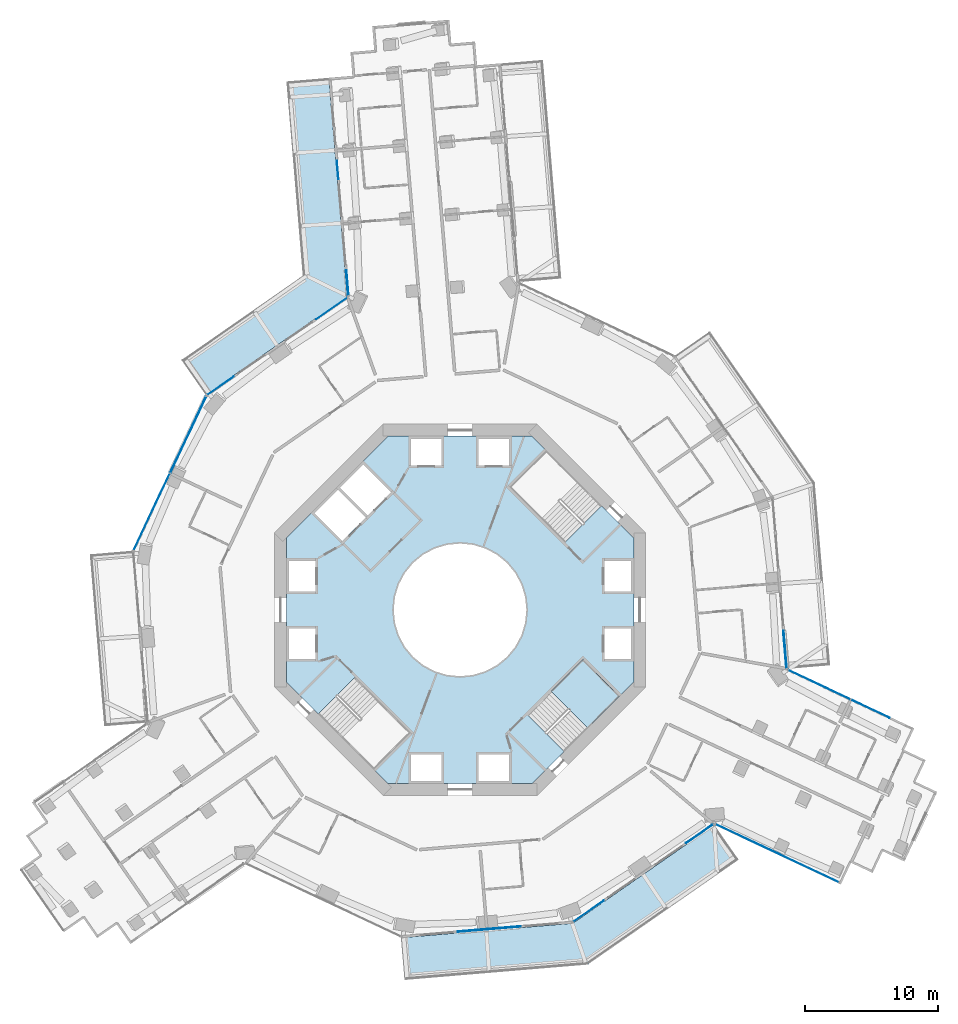
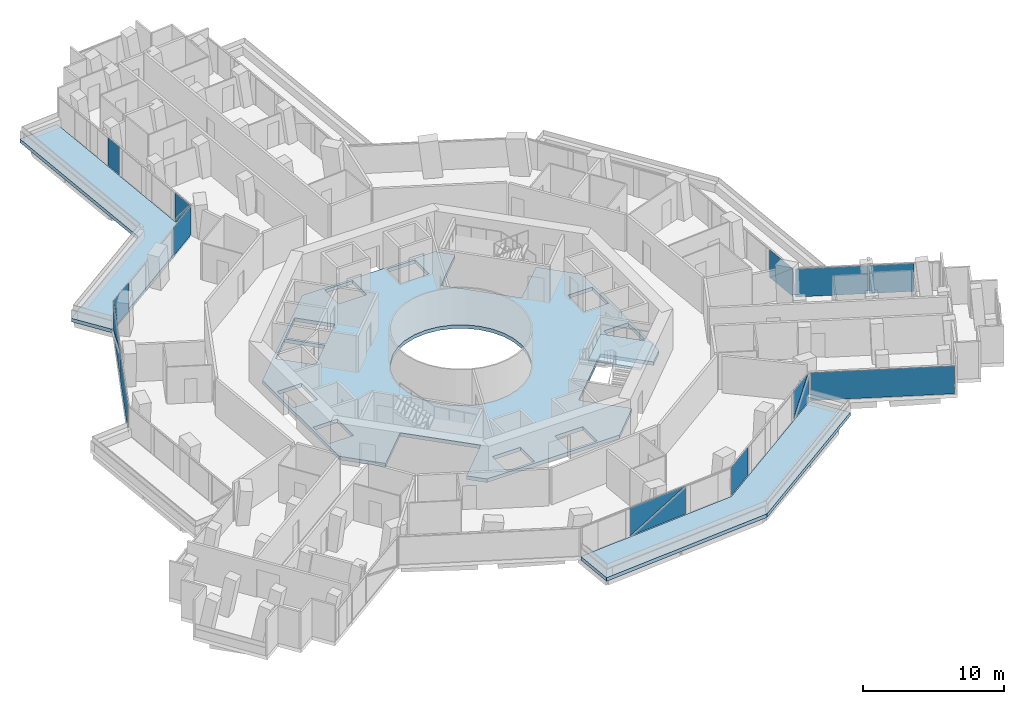
# One storey, part 14 of 26: 18 plates, 4 slabs, 9 elements without a shape of their own.
"""IFC4 building model written with IfcOpenShell, lengths in metres."""

import ifcopenshell
import ifcopenshell.guid

model = None  # the IFC model being written
_history = None  # IfcOwnerHistory: only IFC2X3 demands one
_inside = {}  # id of a spatial element -> (the spatial element, [elements in it])
_under = {}  # id of a project, library or spatial element -> (it, [spatial elements below it])
_declared = {}  # id of a project -> (the project, [libraries it declares])
_typed = {}  # id of a type object -> (the type object, [elements of that type])
_made_of = {}  # id of a material, layer set ... -> (it, [elements and type objects made of it])


def new_model(schema):
    """Start an empty IFC model of exactly this schema.

    Asked for "IFC4X3", IfcOpenShell would pick the latest addendum, in which some entities
    have other attributes; the version numbers below select the first issue.
    IFC2X3 requires an IfcOwnerHistory on every rooted entity: one is made here for all.
    """
    global model, _history
    if schema == "IFC4X3":
        model = ifcopenshell.file(schema_version=(4, 3, 0, 0))
    else:
        model = ifcopenshell.file(schema=schema)
    _inside.clear()
    _under.clear()
    _declared.clear()
    _typed.clear()
    _made_of.clear()
    _history = None
    if model.schema == "IFC2X3":
        org = make("IfcOrganization", Name="unknown")
        user = make(
            "IfcPersonAndOrganization",
            ThePerson=make("IfcPerson", FamilyName="unknown"),
            TheOrganization=org,
        )
        app = make(
            "IfcApplication",
            ApplicationDeveloper=org,
            Version="unknown",
            ApplicationFullName="unknown",
            ApplicationIdentifier="unknown",
        )
        _history = make(
            "IfcOwnerHistory",
            OwningUser=user,
            OwningApplication=app,
            ChangeAction="ADDED",
            CreationDate=0,
        )
    return model


def make(cls, **values):
    """One entity of the class cls with the attributes given. An attribute that is None is left unset."""
    return model.create_entity(
        cls, **{name: value for name, value in values.items() if value is not None}
    )


def rooted(cls, **values):
    """An entity with a GlobalId (a new one), such as an element, a storey or a relation."""
    return make(cls, GlobalId=ifcopenshell.guid.new(), OwnerHistory=_history, **values)


def si_unit(unit_type, name, prefix=None):
    """IfcSIUnit, for example si_unit("LENGTHUNIT", "METRE", prefix="MILLI")."""
    return make("IfcSIUnit", UnitType=unit_type, Prefix=prefix, Name=name)


def assignment(units):
    """IfcUnitAssignment: the units of a project."""
    return None if units is None else make("IfcUnitAssignment", Units=units)


def point(xyz):
    """IfcCartesianPoint."""
    return None if xyz is None else make("IfcCartesianPoint", Coordinates=xyz)


def direction(xyz):
    """IfcDirection."""
    return None if xyz is None else make("IfcDirection", DirectionRatios=xyz)


def frame(location, z_axis=None, x_axis=None):
    """IfcAxis2Placement3D, a coordinate frame: its origin and axes. An axis left out is left unset."""
    return make(
        "IfcAxis2Placement3D",
        Location=point(location),
        Axis=direction(z_axis),
        RefDirection=direction(x_axis),
    )


def frame_2d(location, x_axis=None):
    """IfcAxis2Placement2D, a coordinate frame in the plane: its origin and x axis."""
    return make(
        "IfcAxis2Placement2D", Location=point(location), RefDirection=direction(x_axis)
    )


def origin():
    """The frame at (0, 0, 0) with its axes left unset."""
    return frame((0.0, 0.0, 0.0))


def origin_2d():
    """The frame at (0, 0) in the plane with its x axis left unset."""
    return frame_2d((0.0, 0.0))


def place(relative_to, where):
    """IfcLocalPlacement: puts the frame where relative to a parent placement (None: the world)."""
    return make(
        "IfcLocalPlacement", PlacementRelTo=relative_to, RelativePlacement=where
    )


def context(
    kind, dimensions, precision=None, world=None, true_north=None, identifier=None
):
    """IfcGeometricRepresentationContext, for example the 3D "Model" context."""
    return make(
        "IfcGeometricRepresentationContext",
        ContextIdentifier=identifier,
        ContextType=kind,
        CoordinateSpaceDimension=dimensions,
        Precision=precision,
        WorldCoordinateSystem=world,
        TrueNorth=true_north,
    )


def subcontext(parent, identifier, kind, view, scale=None):
    """IfcGeometricRepresentationSubContext, for example "Body" below "Model"."""
    return make(
        "IfcGeometricRepresentationSubContext",
        ContextIdentifier=identifier,
        ContextType=kind,
        ParentContext=parent,
        TargetScale=scale,
        TargetView=view,
    )


def project(units=None, contexts=None):
    """IfcProject with its units and contexts."""
    return rooted(
        "IfcProject",
        Name="project",
        RepresentationContexts=contexts,
        UnitsInContext=assignment(units),
    )


def spatial(cls, under=None, at=None, **own):
    """A site, building, storey or space (cls), placed at a placement, below another one or the project."""
    s = rooted(cls, ObjectPlacement=at, **own)
    if under is not None:
        _under.setdefault(under.id(), (under, []))[1].append(s)
    return s


def polyline(points):
    """IfcPolyline through the points."""
    return make("IfcPolyline", Points=[point(p) for p in points])


def profile(cls, at=None, kind="AREA", **sizes):
    """A parametric profile (cls). Its sizes go by their IFC names, for example OverallWidth=200.0."""
    return make(cls, ProfileType=kind, Position=at, **sizes)


def rectangle(**sizes):
    """IfcRectangleProfileDef."""
    return profile("IfcRectangleProfileDef", **sizes)


def outline(outer, holes=None, kind="AREA"):
    """IfcArbitraryClosedProfileDef: a profile drawn as a closed curve; with holes, ...WithVoids."""
    if holes is None:
        return make("IfcArbitraryClosedProfileDef", ProfileType=kind, OuterCurve=outer)
    return make(
        "IfcArbitraryProfileDefWithVoids",
        ProfileType=kind,
        OuterCurve=outer,
        InnerCurves=holes,
    )


def extrude(swept, where, along, depth):
    """IfcExtrudedAreaSolid: the profile swept, set in the frame where, extruded along a direction by depth."""
    return make(
        "IfcExtrudedAreaSolid",
        SweptArea=swept,
        Position=where,
        ExtrudedDirection=direction(along),
        Depth=depth,
    )


def shape(context_of_items, identifier, shape_type, items):
    """IfcShapeRepresentation: the items that make up one representation, for example the "Body"."""
    return make(
        "IfcShapeRepresentation",
        ContextOfItems=context_of_items,
        RepresentationIdentifier=identifier,
        RepresentationType=shape_type,
        Items=items,
    )


def material(Name=None, Category=None):
    """IfcMaterial."""
    return make("IfcMaterial", Name=Name, Category=Category)


def layer(
    of_material, thickness, ventilated=None, Name=None, Category=None, Priority=None
):
    """IfcMaterialLayer: one layer of a wall or slab, of a material (None: an air gap)."""
    return make(
        "IfcMaterialLayer",
        Material=of_material,
        LayerThickness=thickness,
        IsVentilated=ventilated,
        Name=Name,
        Category=Category,
        Priority=Priority,
    )


def layer_set(layers, Name=None):
    """IfcMaterialLayerSet."""
    return make("IfcMaterialLayerSet", MaterialLayers=layers, LayerSetName=Name)


def made_of(thing, what):
    """Note that an element or type object is made of a material, layer set ...; save() writes the relation."""
    if what is not None:
        _made_of.setdefault(what.id(), (what, []))[1].append(thing)
    return thing


def type_object(cls, material=None, **own):
    """A type object (cls), such as IfcWallType, which elements share."""
    return made_of(rooted(cls, **own), material)


def element(
    cls,
    number,
    at=None,
    inside=None,
    cuts=None,
    type_object=None,
    material=None,
    context=None,
    identifier="Body",
    shape_type=None,
    held_by="IfcProductDefinitionShape",
    body=None,
    shapes=None,
    **own,
):
    """One element of the class cls, such as IfcWall. Its Tag is "e" and its number.

    at: its placement. inside: the storey or other place that contains it. cuts: it is an
    opening in that element (IfcRelVoidsElement). A single representation is given by context,
    identifier, shape_type and body (its items); several are given by shapes. held_by: the class
    of the entity that holds the representations. save() writes the other relations.
    """
    e = rooted(cls, Tag="e%d" % number, ObjectPlacement=at, **own)
    if body is not None:
        shapes = [shape(context, identifier, shape_type, body)]
    if shapes is not None:
        e.Representation = make(held_by, Representations=shapes)
    if inside is not None:
        _inside.setdefault(inside.id(), (inside, []))[1].append(e)
    if cuts is not None:
        rooted(
            "IfcRelVoidsElement", RelatingBuildingElement=cuts, RelatedOpeningElement=e
        )
    if type_object is not None:
        _typed.setdefault(type_object.id(), (type_object, []))[1].append(e)
    return made_of(e, material)


def aggregate(whole, parts):
    """IfcRelAggregates: a whole, such as a stair, and the parts it consists of."""
    return rooted("IfcRelAggregates", RelatingObject=whole, RelatedObjects=parts)


def save(model, path):
    """Write the relations noted so far, then the file.

    IfcRelAggregates (storeys below a building ...), IfcRelContainedInSpatialStructure (elements
    in a storey), IfcRelDefinesByType, IfcRelAssociatesMaterial and IfcRelDeclares: one each for
    every whole, place, type object, material and project.
    """
    for whole, parts in _under.values():
        aggregate(whole, parts)
    for where, things in _inside.values():
        rooted(
            "IfcRelContainedInSpatialStructure",
            RelatedElements=things,
            RelatingStructure=where,
        )
    for kind, things in _typed.values():
        rooted("IfcRelDefinesByType", RelatedObjects=things, RelatingType=kind)
    for what, things in _made_of.values():
        rooted("IfcRelAssociatesMaterial", RelatedObjects=things, RelatingMaterial=what)
    for by, libraries in _declared.values():
        rooted("IfcRelDeclares", RelatingContext=by, RelatedDefinitions=libraries)
    model.write(path)


model = new_model("IFC4")

# Units and contexts
model_context = context("Model", 3, precision=1e-05, world=origin(), true_north=direction((0.0, 1.0)))
body_context = subcontext(model_context, "Body", "Model", "MODEL_VIEW")
ifc_project = project(units=[si_unit("LENGTHUNIT", "METRE"), si_unit("AREAUNIT", "SQUARE_METRE"), si_unit("VOLUMEUNIT", "CUBIC_METRE"), si_unit("PLANEANGLEUNIT", "RADIAN"), si_unit("MASSUNIT", "GRAM", prefix="KILO")], contexts=[model_context])

# Site, building, storey
site_placement = place(None, origin())
site = spatial("IfcSite", under=ifc_project, at=site_placement, CompositionType="ELEMENT")
building_placement = place(site_placement, origin())
building = spatial("IfcBuilding", under=site, at=building_placement, Name="Verdalira Terraces Hotel", CompositionType="ELEMENT")
storey_placement = place(building_placement, frame((0.0, 0.0, 53.0)))
storey = spatial("IfcBuildingStorey", under=building, at=storey_placement, Name="L11", CompositionType="ELEMENT", Elevation=53.0)

# Slabs
ifc_material_1 = material(Name="Precast concrete C40/50", Category="concrete")
ifc_layer_1 = layer(ifc_material_1, 0.31005859375)
ifc_layer_set_1 = layer_set([ifc_layer_1], Name="Balcony deck 310")
slab_type_1 = type_object("IfcSlabType", Name="Balcony deck 310", PredefinedType="FLOOR", material=ifc_layer_set_1)
slab_1_placement = place(storey_placement, frame((0.0, 0.0, -0.310059)))
element("IfcSlab", 1, at=slab_1_placement, inside=storey, type_object=slab_type_1, Name="Balcony deck", PredefinedType="FLOOR", context=body_context, shape_type="SweptSolid", body=[
    extrude(outline(polyline([(-11.850342, 25.202637), (-21.008301, 18.837646), (-19.182129, 16.209961), (-8.50708, 23.629395), (-9.890625, 40.104004), (-13.079346, 39.836182), (-11.850342, 25.202637)])), origin(), (0.0, 0.0, 1.0), 0.310059),
])
slab_2_placement = place(storey_placement, frame((0.0, 0.0, -0.310059)))
element("IfcSlab", 2, at=slab_2_placement, inside=storey, type_object=slab_type_1, Name="Balcony deck", PredefinedType="FLOOR", context=body_context, shape_type="SweptSolid", body=[
    extrude(outline(polyline([(21.008301, -18.837646), (19.182129, -16.209961), (8.50708, -23.629395), (-4.447266, -24.717041), (-4.179443, -27.906006), (9.629395, -26.746338), (21.008301, -18.837646)])), origin(), (0.0, 0.0, 1.0), 0.310059),
])

# Curtain wall, plates
ifc_material_2 = material(Name="Clear glass", Category="glass")
ifc_layer_2 = layer(ifc_material_2, 0.14990234375)
ifc_layer_set_2 = layer_set([ifc_layer_2], Name="CW1 curtain wall")
curtain_wall_type_1 = type_object("IfcCurtainWallType", Name="CW1 curtain wall", PredefinedType="NOTDEFINED", material=ifc_layer_set_2)
curtain_wall_1_placement = place(storey_placement, origin())
curtain_wall_1 = element("IfcCurtainWall", 3, at=curtain_wall_1_placement, inside=storey, type_object=curtain_wall_type_1, Name="CW1 curtain wall L11 edge 11", PredefinedType="NOTDEFINED")
ifc_material_3 = material(Name="Clear glass", Category="glass")
ifc_layer_3 = layer(ifc_material_3, 0.028076171875)
ifc_layer_set_3 = layer_set([ifc_layer_3], Name="CW1 glass unit 28")
plate_type_1 = type_object("IfcPlateType", Name="CW1 glass unit 28", PredefinedType="CURTAIN_PANEL", material=ifc_layer_set_3)
plate_1_placement = place(storey_placement, frame((-9.679688, 22.723145, 0.0), z_axis=(0.0, 0.0, 1.0), x_axis=(-0.821149209, -0.570713568, 0.0)))
plate_1 = element("IfcPlate", 4, at=plate_1_placement, type_object=plate_type_1, Name="CW1 glass unit", PredefinedType="CURTAIN_PANEL", context=body_context, shape_type="SweptSolid", body=[
    extrude(rectangle(XDim=2.840088, YDim=0.028076, at=origin_2d()), origin(), (0.0, 0.0, 1.0), 2.425049),
])
plate_2_placement = place(storey_placement, frame((-18.05542, 16.901855, 0.0), z_axis=(0.0, 0.0, 1.0), x_axis=(-0.821149209, -0.570713568, 0.0)))
plate_2 = element("IfcPlate", 5, at=plate_2_placement, type_object=plate_type_1, Name="CW1 glass unit", PredefinedType="CURTAIN_PANEL", context=body_context, shape_type="SweptSolid", body=[
    extrude(rectangle(XDim=2.439209, YDim=0.028076, at=origin_2d()), origin(), (0.0, 0.0, 1.0), 2.425049),
])
aggregate(curtain_wall_1, [plate_1, plate_2])

curtain_wall_2_placement = place(storey_placement, origin())
curtain_wall_2 = element("IfcCurtainWall", 6, at=curtain_wall_2_placement, inside=storey, type_object=curtain_wall_type_1, Name="CW1 curtain wall L11 edge 12", PredefinedType="NOTDEFINED")
plate_3_placement = place(storey_placement, frame((-20.500244, 13.199951, 1.212402), z_axis=(-0.904827052, 0.425779292, 0.0), x_axis=(-0.425779292, -0.904827052, 0.0)))
plate_3 = element("IfcPlate", 7, at=plate_3_placement, type_object=plate_type_1, Name="CW1 glass unit", PredefinedType="CURTAIN_PANEL", context=body_context, shape_type="SweptSolid", body=[
    extrude(outline(polyline([(-3.185059, -1.212402), (3.185059, -1.212402), (3.185059, 1.212402), (-3.185059, -1.212402)])), origin(), (0.0, 0.0, 1.0), 0.028076),
])
plate_4_placement = place(storey_placement, frame((-20.473877, 13.1875, 1.212402), z_axis=(-0.904827052, 0.425779292, 0.0), x_axis=(-0.425779292, -0.904827052, 0.0)))
plate_4 = element("IfcPlate", 8, at=plate_4_placement, type_object=plate_type_1, Name="CW1 glass unit", PredefinedType="CURTAIN_PANEL", context=body_context, shape_type="SweptSolid", body=[
    extrude(outline(polyline([(-3.185059, -1.212402), (3.185059, 1.212402), (-3.185059, 1.212402), (-3.185059, -1.212402)])), origin(), (0.0, 0.0, 1.0), 0.028076),
])
plate_5_placement = place(storey_placement, frame((-23.250488, 7.387939, 0.0), z_axis=(0.0, 0.0, 1.0), x_axis=(-0.425779292, -0.904827052, 0.0)))
plate_5 = element("IfcPlate", 9, at=plate_5_placement, type_object=plate_type_1, Name="CW1 glass unit", PredefinedType="CURTAIN_PANEL", context=body_context, shape_type="SweptSolid", body=[
    extrude(rectangle(XDim=6.369873, YDim=0.028076, at=origin_2d()), origin(), (0.0, 0.0, 1.0), 2.425049),
])
aggregate(curtain_wall_2, [plate_3, plate_4, plate_5])

curtain_wall_3_placement = place(storey_placement, origin())
curtain_wall_3 = element("IfcCurtainWall", 10, at=curtain_wall_3_placement, inside=storey, type_object=curtain_wall_type_1, Name="CW1 curtain wall L11 edge 26", PredefinedType="NOTDEFINED")
plate_6_placement = place(storey_placement, frame((2.200195, -24.06958, 1.212402), z_axis=(0.083677843, -0.996492859, 0.0), x_axis=(0.996492859, 0.083677843, 0.0)))
plate_6 = element("IfcPlate", 11, at=plate_6_placement, type_object=plate_type_1, Name="CW1 glass unit", PredefinedType="CURTAIN_PANEL", context=body_context, shape_type="SweptSolid", body=[
    extrude(outline(polyline([(-2.379639, -1.212402), (2.379639, -1.212402), (2.379639, 1.212402), (-2.379639, -1.212402)])), origin(), (0.0, 0.0, 1.0), 0.028076),
])
plate_7_placement = place(storey_placement, frame((2.197754, -24.040527, 1.212402), z_axis=(0.083677843, -0.996492859, 0.0), x_axis=(0.996492859, 0.083677843, 0.0)))
plate_7 = element("IfcPlate", 12, at=plate_7_placement, type_object=plate_type_1, Name="CW1 glass unit", PredefinedType="CURTAIN_PANEL", context=body_context, shape_type="SweptSolid", body=[
    extrude(outline(polyline([(-2.379639, -1.212402), (2.379639, 1.212402), (-2.379639, 1.212402), (-2.379639, -1.212402)])), origin(), (0.0, 0.0, 1.0), 0.028076),
])
aggregate(curtain_wall_3, [plate_6, plate_7])

curtain_wall_4_placement = place(storey_placement, origin())
curtain_wall_4 = element("IfcCurtainWall", 13, at=curtain_wall_4_placement, inside=storey, type_object=curtain_wall_type_1, Name="CW1 curtain wall L11 edge 27", PredefinedType="NOTDEFINED")
plate_8_placement = place(storey_placement, frame((9.696045, -22.71167, 0.0), z_axis=(0.0, 0.0, 1.0), x_axis=(0.821149209, 0.570713568, 0.0)))
plate_8 = element("IfcPlate", 14, at=plate_8_placement, type_object=plate_type_1, Name="CW1 glass unit", PredefinedType="CURTAIN_PANEL", context=body_context, shape_type="SweptSolid", body=[
    extrude(rectangle(XDim=2.799805, YDim=0.028076, at=origin_2d()), origin(), (0.0, 0.0, 1.0), 2.425049),
])
plate_9_placement = place(storey_placement, frame((18.063965, -16.878906, 1.212402), z_axis=(0.570713568, -0.821149209, 0.0), x_axis=(0.821149209, 0.570713568, 0.0)))
plate_9 = element("IfcPlate", 15, at=plate_9_placement, type_object=plate_type_1, Name="CW1 glass unit", PredefinedType="CURTAIN_PANEL", context=body_context, shape_type="SweptSolid", body=[
    extrude(outline(polyline([(-1.239746, -1.212402), (1.239746, -1.212402), (1.239746, 1.212402), (-1.239746, -1.212402)])), origin(), (0.0, 0.0, 1.0), 0.028076),
])
plate_10_placement = place(storey_placement, frame((18.047363, -16.85498, 1.212402), z_axis=(0.570713568, -0.821149209, 0.0), x_axis=(0.821149209, 0.570713568, 0.0)))
plate_10 = element("IfcPlate", 16, at=plate_10_placement, type_object=plate_type_1, Name="CW1 glass unit", PredefinedType="CURTAIN_PANEL", context=body_context, shape_type="SweptSolid", body=[
    extrude(outline(polyline([(-1.239746, -1.212402), (1.239746, 1.212402), (-1.239746, 1.212402), (-1.239746, -1.212402)])), origin(), (0.0, 0.0, 1.0), 0.028076),
])
aggregate(curtain_wall_4, [plate_8, plate_9, plate_10])

curtain_wall_5_placement = place(storey_placement, origin())
curtain_wall_5 = element("IfcCurtainWall", 17, at=curtain_wall_5_placement, inside=storey, type_object=curtain_wall_type_1, Name="CW1 curtain wall L11 edge 39", PredefinedType="NOTDEFINED")
plate_11_placement = place(storey_placement, frame((24.504639, -2.97998, 1.212402), z_axis=(0.996492859, 0.083677843, 0.0), x_axis=(-0.083677843, 0.996492859, 0.0)))
plate_11 = element("IfcPlate", 18, at=plate_11_placement, type_object=plate_type_1, Name="CW1 glass unit", PredefinedType="CURTAIN_PANEL", context=body_context, shape_type="SweptSolid", body=[
    extrude(outline(polyline([(-1.419922, -1.212402), (1.419922, -1.212402), (-1.419922, 1.212402), (-1.419922, -1.212402)])), origin(), (0.0, 0.0, 1.0), 0.028076),
])
plate_12_placement = place(storey_placement, frame((24.475586, -2.982422, 1.212402), z_axis=(0.996492859, 0.083677843, 0.0), x_axis=(-0.083677843, 0.996492859, 0.0)))
plate_12 = element("IfcPlate", 19, at=plate_12_placement, type_object=plate_type_1, Name="CW1 glass unit", PredefinedType="CURTAIN_PANEL", context=body_context, shape_type="SweptSolid", body=[
    extrude(outline(polyline([(1.419922, -1.212402), (1.419922, 1.212402), (-1.419922, 1.212402), (1.419922, -1.212402)])), origin(), (0.0, 0.0, 1.0), 0.028076),
])
aggregate(curtain_wall_5, [plate_11, plate_12])

ifc_material_4 = material(Name="Clear glass", Category="glass")
ifc_layer_4 = layer(ifc_material_4, 0.14990234375)
ifc_layer_set_4 = layer_set([ifc_layer_4], Name="CW2 curtain wall")
curtain_wall_type_2 = type_object("IfcCurtainWallType", Name="CW2 curtain wall", PredefinedType="NOTDEFINED", material=ifc_layer_set_4)
curtain_wall_6_placement = place(storey_placement, origin())
curtain_wall_6 = element("IfcCurtainWall", 20, at=curtain_wall_6_placement, inside=storey, type_object=curtain_wall_type_2, Name="CW2 curtain wall L11 edge 10", PredefinedType="NOTDEFINED")
ifc_material_5 = material(Name="Clear glass", Category="glass")
ifc_layer_5 = layer(ifc_material_5, 0.031982421875)
ifc_layer_set_5 = layer_set([ifc_layer_5], Name="CW2 glass unit 32")
plate_type_2 = type_object("IfcPlateType", Name="CW2 glass unit 32", PredefinedType="CURTAIN_PANEL", material=ifc_layer_set_5)
plate_13_placement = place(storey_placement, frame((-9.233154, 33.171143, 0.0), z_axis=(0.0, 0.0, 1.0), x_axis=(0.083677843, -0.996492859, 0.0)))
plate_13 = element("IfcPlate", 21, at=plate_13_placement, type_object=plate_type_2, Name="CW2 glass unit", PredefinedType="CURTAIN_PANEL", context=body_context, shape_type="SweptSolid", body=[
    extrude(rectangle(XDim=1.41626, YDim=0.031982, at=origin_2d()), origin(), (0.0, 0.0, 1.0), 2.425049),
])
plate_14_placement = place(storey_placement, frame((-8.50293, 24.665771, 1.212402), z_axis=(-0.996492859, -0.083677843, 0.0), x_axis=(0.083677843, -0.996492859, 0.0)))
plate_14 = element("IfcPlate", 22, at=plate_14_placement, type_object=plate_type_2, Name="CW2 glass unit", PredefinedType="CURTAIN_PANEL", context=body_context, shape_type="SweptSolid", body=[
    extrude(outline(polyline([(-0.962646, -1.212402), (0.962646, -1.212402), (0.962646, 1.212402), (-0.962646, -1.212402)])), origin(), (0.0, 0.0, 1.0), 0.031982),
])
plate_15_placement = place(storey_placement, frame((-8.469971, 24.668701, 1.212402), z_axis=(-0.996492859, -0.083677843, 0.0), x_axis=(0.083677843, -0.996492859, 0.0)))
plate_15 = element("IfcPlate", 23, at=plate_15_placement, type_object=plate_type_2, Name="CW2 glass unit", PredefinedType="CURTAIN_PANEL", context=body_context, shape_type="SweptSolid", body=[
    extrude(outline(polyline([(-0.962646, -1.212402), (0.962646, 1.212402), (-0.962646, 1.212402), (-0.962646, -1.212402)])), origin(), (0.0, 0.0, 1.0), 0.031982),
])
aggregate(curtain_wall_6, [plate_13, plate_14, plate_15])

# Curtain wall, plate
curtain_wall_7_placement = place(storey_placement, origin())
curtain_wall_7 = element("IfcCurtainWall", 24, at=curtain_wall_7_placement, inside=storey, type_object=curtain_wall_type_2, Name="CW2 curtain wall L11 edge 28", PredefinedType="NOTDEFINED")
plate_16_placement = place(storey_placement, frame((23.911133, -18.352539, 0.0), z_axis=(0.0, 0.0, 1.0), x_axis=(0.904827052, -0.425779292, 0.0)))
plate_16 = element("IfcPlate", 25, at=plate_16_placement, type_object=plate_type_2, Name="CW2 glass unit", PredefinedType="CURTAIN_PANEL", context=body_context, shape_type="SweptSolid", body=[
    extrude(rectangle(XDim=10.242676, YDim=0.031982, at=origin_2d()), origin(), (0.0, 0.0, 1.0), 2.425049),
])
aggregate(curtain_wall_7, [plate_16])

# Curtain wall, plates
curtain_wall_8_placement = place(storey_placement, origin())
curtain_wall_8 = element("IfcCurtainWall", 26, at=curtain_wall_8_placement, inside=storey, type_object=curtain_wall_type_2, Name="CW2 curtain wall L11 edge 38", PredefinedType="NOTDEFINED")
plate_17_placement = place(storey_placement, frame((30.933105, -7.455322, 0.0), z_axis=(0.0, 0.0, 1.0), x_axis=(-0.904827052, 0.425779292, 0.0)))
plate_17 = element("IfcPlate", 27, at=plate_17_placement, type_object=plate_type_2, Name="CW2 glass unit", PredefinedType="CURTAIN_PANEL", context=body_context, shape_type="SweptSolid", body=[
    extrude(rectangle(XDim=3.20752, YDim=0.031982, at=origin_2d()), origin(), (0.0, 0.0, 1.0), 2.425049),
])
plate_18_placement = place(storey_placement, frame((27.08374, -5.643799, 0.0), z_axis=(0.0, 0.0, 1.0), x_axis=(-0.904827052, 0.425779292, 0.0)))
plate_18 = element("IfcPlate", 28, at=plate_18_placement, type_object=plate_type_2, Name="CW2 glass unit", PredefinedType="CURTAIN_PANEL", context=body_context, shape_type="SweptSolid", body=[
    extrude(rectangle(XDim=5.161377, YDim=0.031982, at=origin_2d()), origin(), (0.0, 0.0, 1.0), 2.425049),
])
aggregate(curtain_wall_8, [plate_17, plate_18])

# Slab
ifc_material_6 = material(Name="Concrete C40", Category="concrete")
ifc_layer_6 = layer(ifc_material_6, 0.31005859375)
ifc_layer_set_6 = layer_set([ifc_layer_6], Name="Core floor slab 310 mm")
slab_type_2 = type_object("IfcSlabType", Name="Core floor slab 310 mm", PredefinedType="FLOOR", material=ifc_layer_set_6)
slab_3_placement = place(storey_placement, frame((0.0, 0.0, -0.310059)))
element("IfcSlab", 29, at=slab_3_placement, inside=storey, type_object=slab_type_2, Name="L11 core floor", PredefinedType="FLOOR", context=body_context, shape_type="SweptSolid", body=[
    extrude(outline(polyline([(-5.42627, 13.100098), (5.42627, 13.100098), (6.491211, 12.034912), (3.719482, 9.263184), (7.905029, 5.077393), (10.677002, 7.849121), (13.100098, 5.42627), (13.100098, -5.42627), (12.034912, -6.491211), (9.263184, -3.719482), (5.077393, -7.905029), (7.849121, -10.677002), (5.42627, -13.100098), (-5.42627, -13.100098), (-6.491211, -12.034912), (-3.719482, -9.263184), (-7.905029, -5.077393), (-10.677002, -7.849121), (-13.100098, -5.42627), (-13.100098, 5.42627), (-5.42627, 13.100098)]), holes=[polyline([(12.899902, -3.699951), (12.899902, -1.399902), (10.899902, -1.399902), (10.899902, -3.699951), (12.899902, -3.699951)]), polyline([(12.899902, 1.399902), (12.899902, 3.699951), (10.899902, 3.699951), (10.899902, 1.399902), (12.899902, 1.399902)]), polyline([(1.399902, 10.899902), (3.699951, 10.899902), (3.699951, 12.899902), (1.399902, 12.899902), (1.399902, 10.899902)]), polyline([(-3.699951, 10.899902), (-1.399902, 10.899902), (-1.399902, 12.899902), (-3.699951, 12.899902), (-3.699951, 10.899902)]), polyline([(-12.899902, 3.699951), (-12.899902, 1.399902), (-10.899902, 1.399902), (-10.899902, 3.699951), (-12.899902, 3.699951)]), polyline([(-12.899902, -1.399902), (-12.899902, -3.699951), (-10.899902, -3.699951), (-10.899902, -1.399902), (-12.899902, -1.399902)]), polyline([(-1.399902, -10.899902), (-3.699951, -10.899902), (-3.699951, -12.899902), (-1.399902, -12.899902), (-1.399902, -10.899902)]), polyline([(3.699951, -10.899902), (1.399902, -10.899902), (1.399902, -12.899902), (3.699951, -12.899902), (3.699951, -10.899902)]), polyline([(-9.051025, 9.192383), (-6.965088, 7.106445), (-5.197266, 8.874268), (-7.283203, 10.960205), (-9.051025, 9.192383)]), polyline([(-9.192383, 9.051025), (-10.960205, 7.283203), (-8.874268, 5.197266), (-7.106445, 6.965088), (-9.192383, 9.051025)]), polyline([(3.5354, 3.5354), (2.777832, 4.157227), (1.91333, 4.619385), (0.975586, 4.903809), (0.0, 5.0), (-0.975586, 4.903809), (-1.91333, 4.619385), (-2.777832, 4.157227), (-3.5354, 3.5354), (-4.157227, 2.777832), (-4.619385, 1.91333), (-4.903809, 0.975586), (-5.0, 0.0), (-4.903809, -0.975586), (-4.619385, -1.91333), (-4.157227, -2.777832), (-3.5354, -3.5354), (-2.777832, -4.157227), (-1.91333, -4.619385), (-0.975586, -4.903809), (0.0, -5.0), (0.975586, -4.903809), (1.91333, -4.619385), (2.777832, -4.157227), (3.5354, -3.5354), (4.157227, -2.777832), (4.619385, -1.91333), (4.903809, -0.975586), (5.0, 0.0), (4.903809, 0.975586), (4.619385, 1.91333), (4.157227, 2.777832), (3.5354, 3.5354)])]), origin(), (0.0, 0.0, 1.0), 0.310059),
])

# Stair, slab
ifc_material_7 = material(Name="Concrete C40", Category="concrete")
stair_type = type_object("IfcStairType", Name="Core stair 20 risers 1900 mm wide", PredefinedType="HALF_TURN_STAIR", material=ifc_material_7)
stair_placement = place(storey_placement, origin())
stair = element("IfcStair", 30, at=stair_placement, inside=storey, type_object=stair_type, Name="L11 Exit stair ST3", PredefinedType="HALF_TURN_STAIR")
ifc_material_8 = material(Name="Concrete C40", Category="concrete")
ifc_layer_7 = layer(ifc_material_8, 0.199951171875)
ifc_layer_set_7 = layer_set([ifc_layer_7], Name="Core stair landing 200 mm")
slab_type_3 = type_object("IfcSlabType", Name="Core stair landing 200 mm", PredefinedType="LANDING", material=ifc_layer_set_7)
slab_4_placement = place(storey_placement, frame((0.0, 0.0, 1.550049)))
slab_4 = element("IfcSlab", 31, at=slab_4_placement, type_object=slab_type_3, Name="ST3 landing 1", PredefinedType="LANDING", context=body_context, shape_type="SweptSolid", body=[
    extrude(outline(polyline([(9.630371, -8.895752), (12.020752, -6.505371), (9.263184, -3.747559), (6.872803, -6.137939), (9.630371, -8.895752)])), origin(), (0.0, 0.0, 1.0), 0.199951),
])
aggregate(stair, [slab_4])

save(model, "model.ifc")
